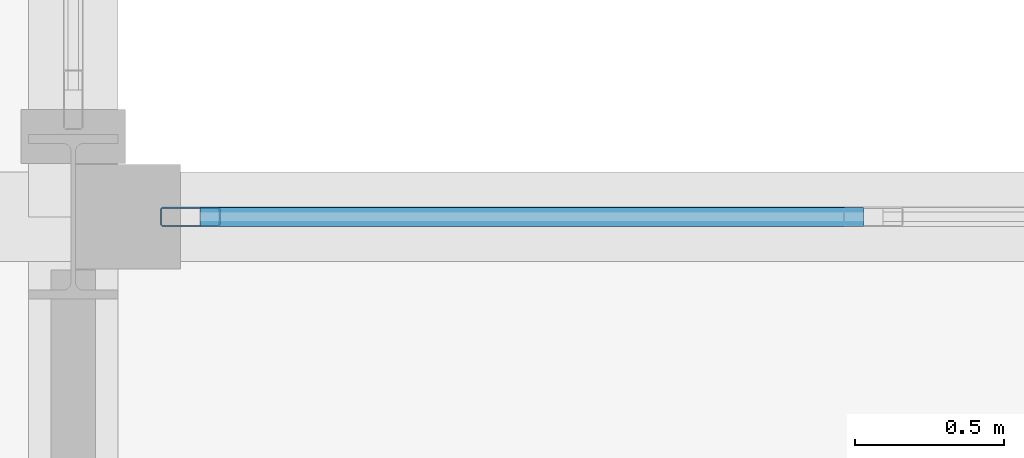
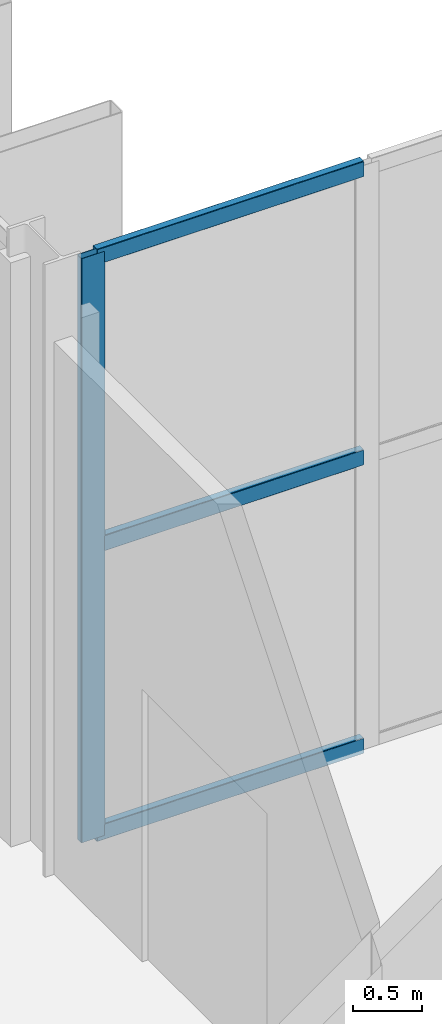
# One storey, part 58 of 147: 4 members, 1 element without a shape of its own.
"""IFC4 building model written with IfcOpenShell, lengths in metres."""

from ifc_helpers import new_model, si_unit, direction, frame, origin, origin_2d, place, context, subcontext, project, spatial, hollow_rectangle, extrude, material, layer, layer_set, material_profile, profile_set, type_object, element, aggregate, save


model = new_model("IFC4")

# Units and contexts
model_context = context("Model", 3, precision=1e-05, world=origin(), true_north=direction((0.0, 1.0)))
body_context = subcontext(model_context, "Body", "Model", "MODEL_VIEW")
ifc_project = project(units=[si_unit("LENGTHUNIT", "METRE"), si_unit("AREAUNIT", "SQUARE_METRE"), si_unit("VOLUMEUNIT", "CUBIC_METRE"), si_unit("PLANEANGLEUNIT", "RADIAN"), si_unit("MASSUNIT", "GRAM", prefix="KILO")], contexts=[model_context])

# Site, building, storey
site_placement = place(None, origin())
site = spatial("IfcSite", under=ifc_project, at=site_placement, CompositionType="ELEMENT")
building_placement = place(site_placement, origin())
building = spatial("IfcBuilding", under=site, at=building_placement, Name="Vekula Escarpment Museum", CompositionType="ELEMENT")
storey_placement = place(building_placement, frame((0.0, 0.0, 7.800048828125)))
storey = spatial("IfcBuildingStorey", under=building, at=storey_placement, Name="L02", CompositionType="ELEMENT", Elevation=7.800048828125)

# Curtain wall, members
ifc_material_1 = material(Name="Aluminium thermally broken framing", Category="aluminium")
ifc_layer = layer(ifc_material_1, 0.199951171875)
ifc_layer_set = layer_set([ifc_layer], Name="Aluminium thermally broken framing")
curtain_wall_type = type_object("IfcCurtainWallType", Name="CW-SYS-03", PredefinedType="NOTDEFINED", material=ifc_layer_set)
curtain_wall_placement = place(storey_placement, origin())
curtain_wall = element("IfcCurtainWall", 1, at=curtain_wall_placement, inside=storey, type_object=curtain_wall_type, Name="Curtain Wall CW-L02-073", PredefinedType="NOTDEFINED")
ifc_material_2 = material(Name="Aluminium anodized mullion", Category="aluminium")
ifc_material_profile_1 = material_profile(ifc_material_2, hollow_rectangle(XDim=0.06494140625, YDim=0.199951171875, WallThickness=0.00390625, InnerFilletRadius=0.00390625, OuterFilletRadius=0.008056640625, at=origin_2d()), Name="ALU 200x65x4")
ifc_profile_set_1 = profile_set([ifc_material_profile_1], Name="Aluminium anodized mullion")
member_type_1 = type_object("IfcMemberType", Name="CW-MUL-200", PredefinedType="MULLION", material=ifc_profile_set_1)
member_1_placement = place(storey_placement, frame((126.392578125, 76.39990234375, 0.0), z_axis=(0.0, 0.0, 1.0), x_axis=(0.0, -1.0, 0.0)))
member_1 = element("IfcMember", 2, at=member_1_placement, type_object=member_type_1, Name="CW-03 mullion 5", PredefinedType="MULLION", context=body_context, shape_type="SweptSolid", body=[
    extrude(hollow_rectangle(XDim=0.06494140625, YDim=0.199951171875, WallThickness=0.00390625, InnerFilletRadius=0.00390625, OuterFilletRadius=0.008056640625, at=origin_2d()), origin(), (0.0, 0.0, 1.0), 5.14990234375),
])
ifc_material_3 = material(Name="Aluminium anodized transom", Category="aluminium")
ifc_material_profile_2 = material_profile(ifc_material_3, hollow_rectangle(XDim=0.06494140625, YDim=0.139892578125, WallThickness=0.00390625, InnerFilletRadius=0.00390625, OuterFilletRadius=0.008056640625, at=origin_2d()), Name="ALU 140x65x4")
ifc_profile_set_2 = profile_set([ifc_material_profile_2], Name="Aluminium anodized transom")
member_type_2 = type_object("IfcMemberType", Name="CW-TRN-140", PredefinedType="USERDEFINED", material=ifc_profile_set_2)
member_2_placement = place(storey_placement, frame((128.6474609375, 76.39990234375, 0.032470703125), z_axis=(-1.0, 0.0, 0.0), x_axis=(0.0, -1.0, 0.0)))
member_2 = element("IfcMember", 3, at=member_2_placement, type_object=member_type_2, Name="CW-03 transom 4.1", ObjectType="TRANSOM", PredefinedType="USERDEFINED", context=body_context, shape_type="SweptSolid", body=[
    extrude(hollow_rectangle(XDim=0.06494140625, YDim=0.139892578125, WallThickness=0.00390625, InnerFilletRadius=0.00390625, OuterFilletRadius=0.008056640625, at=origin_2d()), origin(), (0.0, 0.0, 1.0), 2.222412109375),
])
member_3_placement = place(storey_placement, frame((128.6474609375, 76.39990234375, 2.574951171875), z_axis=(-1.0, 0.0, 0.0), x_axis=(0.0, -1.0, 0.0)))
member_3 = element("IfcMember", 4, at=member_3_placement, type_object=member_type_2, Name="CW-03 transom 4.2", ObjectType="TRANSOM", PredefinedType="USERDEFINED", context=body_context, shape_type="SweptSolid", body=[
    extrude(hollow_rectangle(XDim=0.06494140625, YDim=0.139892578125, WallThickness=0.00390625, InnerFilletRadius=0.00390625, OuterFilletRadius=0.008056640625, at=origin_2d()), origin(), (0.0, 0.0, 1.0), 2.222412109375),
])
member_4_placement = place(storey_placement, frame((128.6474609375, 76.39990234375, 5.117431640625), z_axis=(-1.0, 0.0, 0.0), x_axis=(0.0, -1.0, 0.0)))
member_4 = element("IfcMember", 5, at=member_4_placement, type_object=member_type_2, Name="CW-03 transom 4.3", ObjectType="TRANSOM", PredefinedType="USERDEFINED", context=body_context, shape_type="SweptSolid", body=[
    extrude(hollow_rectangle(XDim=0.06494140625, YDim=0.139892578125, WallThickness=0.00390625, InnerFilletRadius=0.00390625, OuterFilletRadius=0.008056640625, at=origin_2d()), origin(), (0.0, 0.0, 1.0), 2.222412109375),
])
aggregate(curtain_wall, [member_1, member_2, member_3, member_4])

save(model, "model.ifc")
